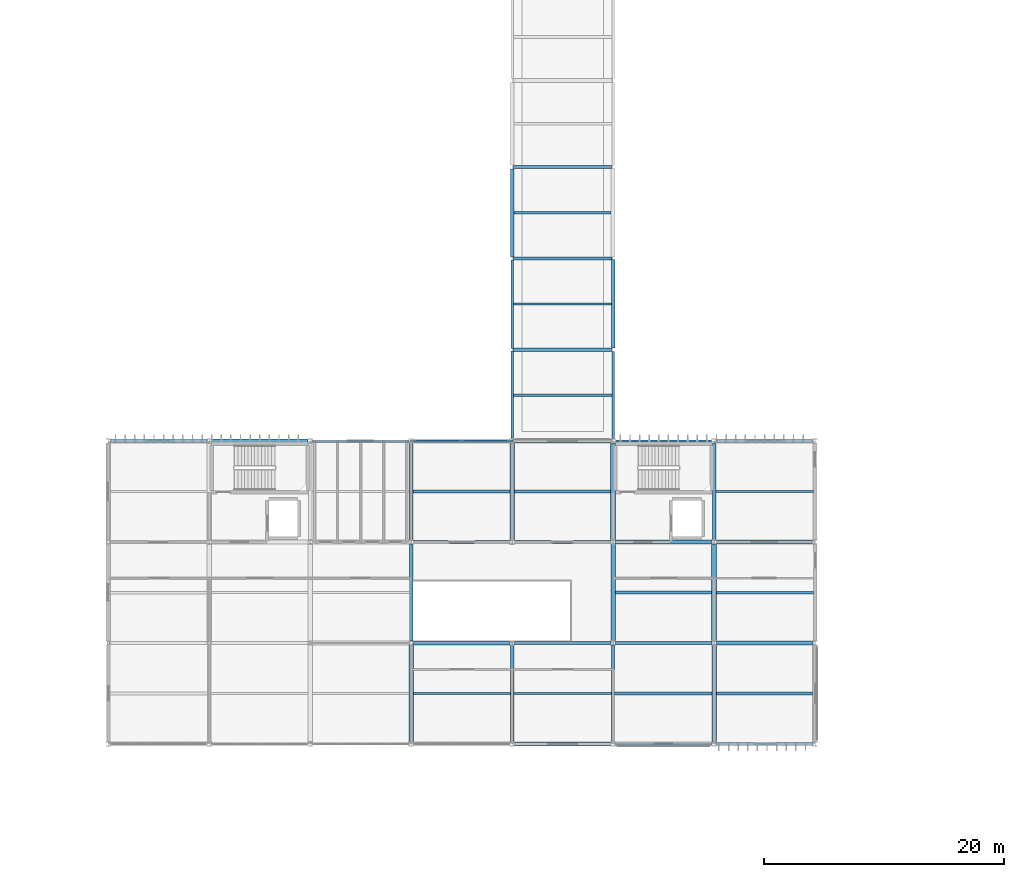
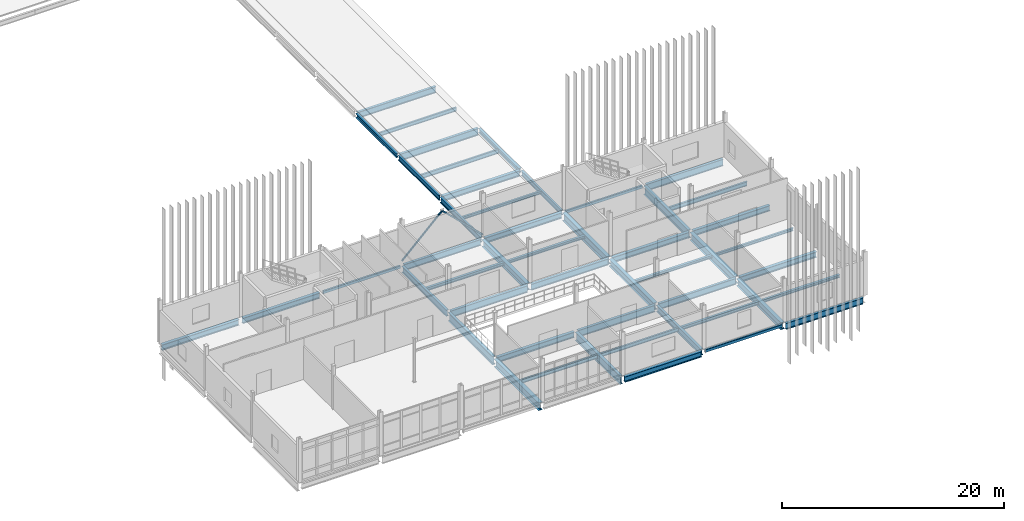
# One storey, part 20 of 72: 49 beams, 2 members.
"""IFC4 building model written with IfcOpenShell, lengths in metres."""

from ifc_helpers import new_model, si_unit, direction, frame, origin, origin_2d, place, context, subcontext, project, spatial, hollow_rectangle, i_section, extrude, material, material_profile, profile_set, type_object, element, save


model = new_model("IFC4")

# Units and contexts
model_context = context("Model", 3, precision=1e-05, world=origin(), true_north=direction((0.0, 1.0)))
body_context = subcontext(model_context, "Body", "Model", "MODEL_VIEW")
ifc_project = project(units=[si_unit("LENGTHUNIT", "METRE"), si_unit("AREAUNIT", "SQUARE_METRE"), si_unit("VOLUMEUNIT", "CUBIC_METRE"), si_unit("PLANEANGLEUNIT", "RADIAN"), si_unit("MASSUNIT", "GRAM", prefix="KILO")], contexts=[model_context])

# Site, building, storey
site_placement = place(None, origin())
site = spatial("IfcSite", under=ifc_project, at=site_placement, CompositionType="ELEMENT")
building_placement = place(site_placement, origin())
building = spatial("IfcBuilding", under=site, at=building_placement, Name="Calvrana Isthmian Art Gallery", CompositionType="ELEMENT")
storey_placement = place(building_placement, frame((0.0, 0.0, 15.0)))
storey = spatial("IfcBuildingStorey", under=building, at=storey_placement, Name="L03", CompositionType="ELEMENT", Elevation=15.0)

# Beams
ifc_material_1 = material(Name="Steel ASTM A992 Gr 50", Category="steel")
ifc_material_profile_1 = material_profile(ifc_material_1, i_section(OverallWidth=0.279052734375, OverallDepth=0.4619140625, WebThickness=0.0107421875, FlangeThickness=0.017333984375, FilletRadius=0.02001953125, at=origin_2d()), Name="W18X76")
ifc_profile_set_1 = profile_set([ifc_material_profile_1], Name="Steel ASTM A992 Gr 50")
beam_type_1 = type_object("IfcBeamType", Name="BM-G-W18X76", PredefinedType="BEAM", material=ifc_profile_set_1)
beam_1_placement = place(storey_placement, frame((55.199951171875, 62.126953125, -0.47607421875), z_axis=(0.0, 1.0, 0.0), x_axis=(-1.0, 0.0, 0.0)))
element("IfcBeam", 1, at=beam_1_placement, inside=storey, type_object=beam_type_1, Name="Girder Y L03 08/I-J", PredefinedType="BEAM", context=body_context, shape_type="SweptSolid", body=[
    extrude(i_section(OverallWidth=0.279052734375, OverallDepth=0.4619140625, WebThickness=0.0107421875, FlangeThickness=0.017333984375, FilletRadius=0.02001953125, at=origin_2d()), origin(), (0.0, 0.0, 1.0), 7.320556640625),
])
beam_2_placement = place(storey_placement, frame((63.60009765625, 54.552490234375, -0.47607421875), z_axis=(0.0, 1.0, 0.0), x_axis=(-1.0, 0.0, 0.0)))
element("IfcBeam", 2, at=beam_2_placement, inside=storey, type_object=beam_type_1, Name="Girder Y L03 09/H-I", PredefinedType="BEAM", context=body_context, shape_type="SweptSolid", body=[
    extrude(i_section(OverallWidth=0.279052734375, OverallDepth=0.4619140625, WebThickness=0.0107421875, FlangeThickness=0.017333984375, FilletRadius=0.02001953125, at=origin_2d()), origin(), (0.0, 0.0, 1.0), 7.345947265625),
])
ifc_material_profile_2 = material_profile(ifc_material_1, i_section(OverallWidth=0.208984375, OverallDepth=0.532958984375, WebThickness=0.01025390625, FlangeThickness=0.015625, FilletRadius=0.02099609375, at=origin_2d()), Name="W21X62")
ifc_profile_set_2 = profile_set([ifc_material_profile_2], Name="Steel ASTM A992 Gr 50")
beam_type_2 = type_object("IfcBeamType", Name="BM-G-W21X62", PredefinedType="BEAM", material=ifc_profile_set_2)
beam_3_placement = place(storey_placement, frame((55.199951171875, 54.501708984375, -0.511474609375), z_axis=(0.0, 1.0, 0.0), x_axis=(-1.0, 0.0, 0.0)))
element("IfcBeam", 3, at=beam_3_placement, inside=storey, type_object=beam_type_2, Name="Girder Y L03 08/H-I", PredefinedType="BEAM", context=body_context, shape_type="SweptSolid", body=[
    extrude(i_section(OverallWidth=0.208984375, OverallDepth=0.532958984375, WebThickness=0.01025390625, FlangeThickness=0.015625, FilletRadius=0.02099609375, at=origin_2d()), origin(), (0.0, 0.0, 1.0), 7.371337890625),
])
beam_4_placement = place(storey_placement, frame((63.60009765625, 46.988037109375, -0.511474609375), z_axis=(0.0, 1.0, 0.0), x_axis=(-1.0, 0.0, 0.0)))
element("IfcBeam", 4, at=beam_4_placement, inside=storey, type_object=beam_type_2, Name="Girder Y L03 09/G-H", PredefinedType="BEAM", context=body_context, shape_type="SweptSolid", body=[
    extrude(i_section(OverallWidth=0.208984375, OverallDepth=0.532958984375, WebThickness=0.01025390625, FlangeThickness=0.015625, FilletRadius=0.02099609375, at=origin_2d()), origin(), (0.0, 0.0, 1.0), 7.259521484375),
])
ifc_material_profile_3 = material_profile(ifc_material_1, i_section(OverallWidth=0.324951171875, OverallDepth=0.612060546875, WebThickness=0.0126953125, FlangeThickness=0.01904296875, FilletRadius=0.02197265625, at=origin_2d()), Name="W24X104")
ifc_profile_set_3 = profile_set([ifc_material_profile_3], Name="Steel ASTM A992 Gr 50")
beam_type_3 = type_object("IfcBeamType", Name="BM-G-W24X104", PredefinedType="BEAM", material=ifc_profile_set_3)
beam_5_placement = place(storey_placement, frame((55.3994140625, 21.60009765625, -0.551025390625), z_axis=(1.0, 0.0, 0.0), x_axis=(0.0, 1.0, 0.0)))
element("IfcBeam", 5, at=beam_5_placement, inside=storey, type_object=beam_type_3, Name="Girder X L03 08-09/D", PredefinedType="BEAM", context=body_context, shape_type="SweptSolid", body=[
    extrude(i_section(OverallWidth=0.324951171875, OverallDepth=0.612060546875, WebThickness=0.0126953125, FlangeThickness=0.01904296875, FilletRadius=0.02197265625, at=origin_2d()), origin(), (0.0, 0.0, 1.0), 8.002685546875),
])
beam_6_placement = place(storey_placement, frame((46.985595703125, 30.0, -0.551025390625), z_axis=(1.0, 0.0, 0.0), x_axis=(0.0, 1.0, 0.0)))
element("IfcBeam", 6, at=beam_6_placement, inside=storey, type_object=beam_type_3, Name="Girder X L03 07-08/E", PredefinedType="BEAM", context=body_context, shape_type="SweptSolid", body=[
    extrude(i_section(OverallWidth=0.324951171875, OverallDepth=0.612060546875, WebThickness=0.0126953125, FlangeThickness=0.01904296875, FilletRadius=0.02197265625, at=origin_2d()), origin(), (0.0, 0.0, 1.0), 8.030517578125),
])
beam_7_placement = place(storey_placement, frame((72.1865234375, 38.39990234375, -0.551025390625), z_axis=(1.0, 0.0, 0.0), x_axis=(0.0, 1.0, 0.0)))
element("IfcBeam", 7, at=beam_7_placement, inside=storey, type_object=beam_type_3, Name="Girder X L03 10-11/F", PredefinedType="BEAM", context=body_context, shape_type="SweptSolid", body=[
    extrude(i_section(OverallWidth=0.324951171875, OverallDepth=0.612060546875, WebThickness=0.0126953125, FlangeThickness=0.01904296875, FilletRadius=0.02197265625, at=origin_2d()), origin(), (0.0, 0.0, 1.0), 8.02685546875),
])
beam_8_placement = place(storey_placement, frame((30.197021484375, 46.800048828125, -0.551025390625), z_axis=(1.0, 0.0, 0.0), x_axis=(0.0, 1.0, 0.0)))
element("IfcBeam", 8, at=beam_8_placement, inside=storey, type_object=beam_type_3, Name="Girder X L03 05-06/G", PredefinedType="BEAM", context=body_context, shape_type="SweptSolid", body=[
    extrude(i_section(OverallWidth=0.324951171875, OverallDepth=0.612060546875, WebThickness=0.0126953125, FlangeThickness=0.01904296875, FilletRadius=0.02197265625, at=origin_2d()), origin(), (0.0, 0.0, 1.0), 8.016357421875),
])
beam_9_placement = place(storey_placement, frame((55.301513671875, 54.39990234375, -0.551025390625), z_axis=(1.0, 0.0, 0.0), x_axis=(0.0, 1.0, 0.0)))
element("IfcBeam", 9, at=beam_9_placement, inside=storey, type_object=beam_type_3, Name="Girder X L03 08-09/H", PredefinedType="BEAM", context=body_context, shape_type="SweptSolid", body=[
    extrude(i_section(OverallWidth=0.324951171875, OverallDepth=0.612060546875, WebThickness=0.0126953125, FlangeThickness=0.01904296875, FilletRadius=0.02197265625, at=origin_2d()), origin(), (0.0, 0.0, 1.0), 8.14599609375),
])
ifc_material_profile_4 = material_profile(ifc_material_1, i_section(OverallWidth=0.327880859375, OverallDepth=0.6220703125, WebThickness=0.015380859375, FlangeThickness=0.0244140625, FilletRadius=0.02197265625, at=origin_2d()), Name="W24X131")
ifc_profile_set_4 = profile_set([ifc_material_profile_4], Name="Steel ASTM A992 Gr 50")
beam_type_4 = type_object("IfcBeamType", Name="BM-G-W24X131", PredefinedType="BEAM", material=ifc_profile_set_4)
beam_10_placement = place(storey_placement, frame((72.1865234375, 30.0, -0.555908203125), z_axis=(1.0, 0.0, 0.0), x_axis=(0.0, 1.0, 0.0)))
element("IfcBeam", 10, at=beam_10_placement, inside=storey, type_object=beam_type_4, Name="Girder X L03 10-11/E", PredefinedType="BEAM", context=body_context, shape_type="SweptSolid", body=[
    extrude(i_section(OverallWidth=0.327880859375, OverallDepth=0.6220703125, WebThickness=0.015380859375, FlangeThickness=0.0244140625, FilletRadius=0.02197265625, at=origin_2d()), origin(), (0.0, 0.0, 1.0), 8.028076171875),
])
beam_11_placement = place(storey_placement, frame((63.783935546875, 38.39990234375, -0.555908203125), z_axis=(1.0, 0.0, 0.0), x_axis=(0.0, 1.0, 0.0)))
element("IfcBeam", 11, at=beam_11_placement, inside=storey, type_object=beam_type_4, Name="Girder X L03 09-10/F", PredefinedType="BEAM", context=body_context, shape_type="SweptSolid", body=[
    extrude(i_section(OverallWidth=0.327880859375, OverallDepth=0.6220703125, WebThickness=0.015380859375, FlangeThickness=0.0244140625, FilletRadius=0.02197265625, at=origin_2d()), origin(), (0.0, 0.0, 1.0), 8.029541015625),
])
beam_12_placement = place(storey_placement, frame((21.798095703125, 46.800048828125, -0.555908203125), z_axis=(1.0, 0.0, 0.0), x_axis=(0.0, 1.0, 0.0)))
element("IfcBeam", 12, at=beam_12_placement, inside=storey, type_object=beam_type_4, Name="Girder X L03 04-05/G", PredefinedType="BEAM", context=body_context, shape_type="SweptSolid", body=[
    extrude(i_section(OverallWidth=0.327880859375, OverallDepth=0.6220703125, WebThickness=0.015380859375, FlangeThickness=0.0244140625, FilletRadius=0.02197265625, at=origin_2d()), origin(), (0.0, 0.0, 1.0), 8.0048828125),
])
beam_13_placement = place(storey_placement, frame((55.39794921875, 46.800048828125, -0.555908203125), z_axis=(1.0, 0.0, 0.0), x_axis=(0.0, 1.0, 0.0)))
element("IfcBeam", 13, at=beam_13_placement, inside=storey, type_object=beam_type_4, Name="Girder X L03 08-09/G", PredefinedType="BEAM", context=body_context, shape_type="SweptSolid", body=[
    extrude(i_section(OverallWidth=0.327880859375, OverallDepth=0.6220703125, WebThickness=0.015380859375, FlangeThickness=0.0244140625, FilletRadius=0.02197265625, at=origin_2d()), origin(), (0.0, 0.0, 1.0), 8.005126953125),
])
ifc_material_profile_5 = material_profile(ifc_material_1, i_section(OverallWidth=0.22802734375, OverallDepth=0.60693359375, WebThickness=0.01123046875, FlangeThickness=0.017333984375, FilletRadius=0.02197265625, at=origin_2d()), Name="W24X76")
ifc_profile_set_5 = profile_set([ifc_material_profile_5], Name="Steel ASTM A992 Gr 50")
beam_type_5 = type_object("IfcBeamType", Name="BM-G-W24X76", PredefinedType="BEAM", material=ifc_profile_set_5)
beam_14_placement = place(storey_placement, frame((55.199951171875, 46.990478515625, -0.548583984375), z_axis=(0.0, 1.0, 0.0), x_axis=(-1.0, 0.0, 0.0)))
element("IfcBeam", 14, at=beam_14_placement, inside=storey, type_object=beam_type_5, Name="Girder Y L03 08/G-H", PredefinedType="BEAM", context=body_context, shape_type="SweptSolid", body=[
    extrude(i_section(OverallWidth=0.22802734375, OverallDepth=0.60693359375, WebThickness=0.01123046875, FlangeThickness=0.017333984375, FilletRadius=0.02197265625, at=origin_2d()), origin(), (0.0, 0.0, 1.0), 7.307861328125),
])
ifc_material_profile_6 = material_profile(ifc_material_1, i_section(OverallWidth=0.257080078125, OverallDepth=0.693115234375, WebThickness=0.014404296875, FlangeThickness=0.023681640625, FilletRadius=0.02392578125, at=origin_2d()), Name="W27X114")
ifc_profile_set_6 = profile_set([ifc_material_profile_6], Name="Steel ASTM A992 Gr 50")
beam_type_6 = type_object("IfcBeamType", Name="BM-G-W27X114", PredefinedType="BEAM", material=ifc_profile_set_6)
beam_15_placement = place(storey_placement, frame((72.197021484375, 21.60009765625, -0.591552734375), z_axis=(1.0, 0.0, 0.0), x_axis=(0.0, 1.0, 0.0)))
element("IfcBeam", 15, at=beam_15_placement, inside=storey, type_object=beam_type_6, Name="Girder X L03 10-11/D", PredefinedType="BEAM", context=body_context, shape_type="SweptSolid", body=[
    extrude(i_section(OverallWidth=0.257080078125, OverallDepth=0.693115234375, WebThickness=0.014404296875, FlangeThickness=0.023681640625, FilletRadius=0.02392578125, at=origin_2d()), origin(), (0.0, 0.0, 1.0), 8.016357421875),
])
beam_16_placement = place(storey_placement, frame((63.78662109375, 30.0, -0.591552734375), z_axis=(1.0, 0.0, 0.0), x_axis=(0.0, 1.0, 0.0)))
element("IfcBeam", 16, at=beam_16_placement, inside=storey, type_object=beam_type_6, Name="Girder X L03 09-10/E", PredefinedType="BEAM", context=body_context, shape_type="SweptSolid", body=[
    extrude(i_section(OverallWidth=0.257080078125, OverallDepth=0.693115234375, WebThickness=0.014404296875, FlangeThickness=0.023681640625, FilletRadius=0.02392578125, at=origin_2d()), origin(), (0.0, 0.0, 1.0), 8.02685546875),
])
beam_17_placement = place(storey_placement, frame((55.385498046875, 38.39990234375, -0.591552734375), z_axis=(1.0, 0.0, 0.0), x_axis=(0.0, 1.0, 0.0)))
element("IfcBeam", 17, at=beam_17_placement, inside=storey, type_object=beam_type_6, Name="Girder X L03 08-09/F", PredefinedType="BEAM", context=body_context, shape_type="SweptSolid", body=[
    extrude(i_section(OverallWidth=0.257080078125, OverallDepth=0.693115234375, WebThickness=0.014404296875, FlangeThickness=0.023681640625, FilletRadius=0.02392578125, at=origin_2d()), origin(), (0.0, 0.0, 1.0), 8.030517578125),
])
beam_18_placement = place(storey_placement, frame((46.99951171875, 46.800048828125, -0.591552734375), z_axis=(1.0, 0.0, 0.0), x_axis=(0.0, 1.0, 0.0)))
element("IfcBeam", 18, at=beam_18_placement, inside=storey, type_object=beam_type_6, Name="Girder X L03 07-08/G", PredefinedType="BEAM", context=body_context, shape_type="SweptSolid", body=[
    extrude(i_section(OverallWidth=0.257080078125, OverallDepth=0.693115234375, WebThickness=0.014404296875, FlangeThickness=0.023681640625, FilletRadius=0.02392578125, at=origin_2d()), origin(), (0.0, 0.0, 1.0), 8.00244140625),
])
beam_19_placement = place(storey_placement, frame((55.301513671875, 69.60009765625, -0.591552734375), z_axis=(1.0, 0.0, 0.0), x_axis=(0.0, 1.0, 0.0)))
element("IfcBeam", 19, at=beam_19_placement, inside=storey, type_object=beam_type_6, Name="Girder X L03 08-09/J", PredefinedType="BEAM", context=body_context, shape_type="SweptSolid", body=[
    extrude(i_section(OverallWidth=0.257080078125, OverallDepth=0.693115234375, WebThickness=0.014404296875, FlangeThickness=0.023681640625, FilletRadius=0.02392578125, at=origin_2d()), origin(), (0.0, 0.0, 1.0), 8.17138671875),
])
for number, where, z_axis, x_axis, name in (
    (20, (46.800048828125, 38.583984375, -0.591552734375), (0.0, 1.0, 0.0), (-1.0, 0.0, 0.0), "Girder Y L03 07/F-G"),
    (21, (63.60009765625, 21.79052734375, -0.591552734375), (0.0, 1.0, 0.0), (-1.0, 0.0, 0.0), "Girder Y L03 09/D-E"),
):
    element("IfcBeam", number, at=place(storey_placement, frame(where, z_axis=z_axis, x_axis=x_axis)), inside=storey, type_object=beam_type_6, Name=name, PredefinedType="BEAM", context=body_context, shape_type="SweptSolid", body=[
        extrude(i_section(OverallWidth=0.257080078125, OverallDepth=0.693115234375, WebThickness=0.014404296875, FlangeThickness=0.023681640625, FilletRadius=0.02392578125, at=origin_2d()), origin(), (0.0, 0.0, 1.0), 8.02294921875),
    ])
ifc_material_profile_7 = material_profile(ifc_material_1, i_section(OverallWidth=0.26708984375, OverallDepth=0.761962890625, WebThickness=0.014404296875, FlangeThickness=0.021484375, FilletRadius=0.02490234375, at=origin_2d()), Name="W30X116")
ifc_profile_set_7 = profile_set([ifc_material_profile_7], Name="Steel ASTM A992 Gr 50")
beam_type_7 = type_object("IfcBeamType", Name="BM-G-W30X116", PredefinedType="BEAM", material=ifc_profile_set_7)
beam_20_placement = place(storey_placement, frame((55.384033203125, 30.0, -0.6259765625), z_axis=(1.0, 0.0, 0.0), x_axis=(0.0, 1.0, 0.0)))
element("IfcBeam", 22, at=beam_20_placement, inside=storey, type_object=beam_type_7, Name="Girder X L03 08-09/E", PredefinedType="BEAM", context=body_context, shape_type="SweptSolid", body=[
    extrude(i_section(OverallWidth=0.26708984375, OverallDepth=0.761962890625, WebThickness=0.014404296875, FlangeThickness=0.021484375, FilletRadius=0.02490234375, at=origin_2d()), origin(), (0.0, 0.0, 1.0), 8.029541015625),
])
beam_21_placement = place(storey_placement, frame((46.986572265625, 38.39990234375, -0.6259765625), z_axis=(1.0, 0.0, 0.0), x_axis=(0.0, 1.0, 0.0)))
element("IfcBeam", 23, at=beam_21_placement, inside=storey, type_object=beam_type_7, Name="Girder X L03 07-08/F", PredefinedType="BEAM", context=body_context, shape_type="SweptSolid", body=[
    extrude(i_section(OverallWidth=0.26708984375, OverallDepth=0.761962890625, WebThickness=0.014404296875, FlangeThickness=0.021484375, FilletRadius=0.02490234375, at=origin_2d()), origin(), (0.0, 0.0, 1.0), 8.02783203125),
])
beam_22_placement = place(storey_placement, frame((72.1865234375, 46.800048828125, -0.6259765625), z_axis=(1.0, 0.0, 0.0), x_axis=(0.0, 1.0, 0.0)))
element("IfcBeam", 24, at=beam_22_placement, inside=storey, type_object=beam_type_7, Name="Girder X L03 10-11/G", PredefinedType="BEAM", context=body_context, shape_type="SweptSolid", body=[
    extrude(i_section(OverallWidth=0.26708984375, OverallDepth=0.761962890625, WebThickness=0.014404296875, FlangeThickness=0.021484375, FilletRadius=0.02490234375, at=origin_2d()), origin(), (0.0, 0.0, 1.0), 8.013916015625),
])
beam_23_placement = place(storey_placement, frame((55.326904296875, 62.0, -0.6259765625), z_axis=(1.0, 0.0, 0.0), x_axis=(0.0, 1.0, 0.0)))
element("IfcBeam", 25, at=beam_23_placement, inside=storey, type_object=beam_type_7, Name="Girder X L03 08-09/I", PredefinedType="BEAM", context=body_context, shape_type="SweptSolid", body=[
    extrude(i_section(OverallWidth=0.26708984375, OverallDepth=0.761962890625, WebThickness=0.014404296875, FlangeThickness=0.021484375, FilletRadius=0.02490234375, at=origin_2d()), origin(), (0.0, 0.0, 1.0), 8.17138671875),
])
ifc_material_profile_8 = material_profile(ifc_material_1, i_section(OverallWidth=0.381103515625, OverallDepth=0.77197265625, WebThickness=0.0166015625, FlangeThickness=0.027099609375, FilletRadius=0.02490234375, at=origin_2d()), Name="W30X173")
ifc_profile_set_8 = profile_set([ifc_material_profile_8], Name="Steel ASTM A992 Gr 50")
beam_type_8 = type_object("IfcBeamType", Name="BM-G-W30X173", PredefinedType="BEAM", material=ifc_profile_set_8)
beam_24_placement = place(storey_placement, frame((55.199951171875, 38.58154296875, -0.631103515625), z_axis=(0.0, 1.0, 0.0), x_axis=(-1.0, 0.0, 0.0)))
element("IfcBeam", 26, at=beam_24_placement, inside=storey, type_object=beam_type_8, Name="Girder Y L03 08/F-G", PredefinedType="BEAM", context=body_context, shape_type="SweptSolid", body=[
    extrude(i_section(OverallWidth=0.381103515625, OverallDepth=0.77197265625, WebThickness=0.0166015625, FlangeThickness=0.027099609375, FilletRadius=0.02490234375, at=origin_2d()), origin(), (0.0, 0.0, 1.0), 8.028076171875),
])
beam_25_placement = place(storey_placement, frame((63.60009765625, 30.1865234375, -0.631103515625), z_axis=(0.0, 1.0, 0.0), x_axis=(-1.0, 0.0, 0.0)))
element("IfcBeam", 27, at=beam_25_placement, inside=storey, type_object=beam_type_8, Name="Girder Y L03 09/E-F", PredefinedType="BEAM", context=body_context, shape_type="SweptSolid", body=[
    extrude(i_section(OverallWidth=0.381103515625, OverallDepth=0.77197265625, WebThickness=0.0166015625, FlangeThickness=0.027099609375, FilletRadius=0.02490234375, at=origin_2d()), origin(), (0.0, 0.0, 1.0), 8.035400390625),
])
beam_26_placement = place(storey_placement, frame((72.0, 21.7880859375, -0.631103515625), z_axis=(0.0, 1.0, 0.0), x_axis=(-1.0, 0.0, 0.0)))
element("IfcBeam", 28, at=beam_26_placement, inside=storey, type_object=beam_type_8, Name="Girder Y L03 10/D-E", PredefinedType="BEAM", context=body_context, shape_type="SweptSolid", body=[
    extrude(i_section(OverallWidth=0.381103515625, OverallDepth=0.77197265625, WebThickness=0.0166015625, FlangeThickness=0.027099609375, FilletRadius=0.02490234375, at=origin_2d()), origin(), (0.0, 0.0, 1.0), 8.02783203125),
])
ifc_material_profile_9 = material_profile(ifc_material_1, i_section(OverallWidth=0.40087890625, OverallDepth=0.85595703125, WebThickness=0.018310546875, FlangeThickness=0.029296875, FilletRadius=0.02587890625, at=origin_2d()), Name="W33X201")
ifc_profile_set_9 = profile_set([ifc_material_profile_9], Name="Steel ASTM A992 Gr 50")
beam_type_9 = type_object("IfcBeamType", Name="BM-G-W33X201", PredefinedType="BEAM", material=ifc_profile_set_9)
beam_27_placement = place(storey_placement, frame((46.800048828125, 21.78662109375, -0.673095703125), z_axis=(0.0, 1.0, 0.0), x_axis=(-1.0, 0.0, 0.0)))
element("IfcBeam", 29, at=beam_27_placement, inside=storey, type_object=beam_type_9, Name="Girder Y L03 07/D-E", PredefinedType="BEAM", context=body_context, shape_type="SweptSolid", body=[
    extrude(i_section(OverallWidth=0.40087890625, OverallDepth=0.85595703125, WebThickness=0.018310546875, FlangeThickness=0.029296875, FilletRadius=0.02587890625, at=origin_2d()), origin(), (0.0, 0.0, 1.0), 8.031982421875),
])
beam_28_placement = place(storey_placement, frame((63.60009765625, 38.577880859375, -0.673095703125), z_axis=(0.0, 1.0, 0.0), x_axis=(-1.0, 0.0, 0.0)))
element("IfcBeam", 30, at=beam_28_placement, inside=storey, type_object=beam_type_9, Name="Girder Y L03 09/F-G", PredefinedType="BEAM", context=body_context, shape_type="SweptSolid", body=[
    extrude(i_section(OverallWidth=0.40087890625, OverallDepth=0.85595703125, WebThickness=0.018310546875, FlangeThickness=0.029296875, FilletRadius=0.02587890625, at=origin_2d()), origin(), (0.0, 0.0, 1.0), 8.0341796875),
])
beam_29_placement = place(storey_placement, frame((72.0, 30.18408203125, -0.673095703125), z_axis=(0.0, 1.0, 0.0), x_axis=(-1.0, 0.0, 0.0)))
element("IfcBeam", 31, at=beam_29_placement, inside=storey, type_object=beam_type_9, Name="Girder Y L03 10/E-F", PredefinedType="BEAM", context=body_context, shape_type="SweptSolid", body=[
    extrude(i_section(OverallWidth=0.40087890625, OverallDepth=0.85595703125, WebThickness=0.018310546875, FlangeThickness=0.029296875, FilletRadius=0.02587890625, at=origin_2d()), origin(), (0.0, 0.0, 1.0), 8.029296875),
])
ifc_material_profile_10 = material_profile(ifc_material_1, i_section(OverallWidth=0.306884765625, OverallDepth=0.927001953125, WebThickness=0.019287109375, FlangeThickness=0.031982421875, FilletRadius=0.028076171875, at=origin_2d()), Name="W36X194")
ifc_profile_set_10 = profile_set([ifc_material_profile_10], Name="Steel ASTM A992 Gr 50")
beam_type_10 = type_object("IfcBeamType", Name="BM-G-W36X194", PredefinedType="BEAM", material=ifc_profile_set_10)
beam_30_placement = place(storey_placement, frame((46.800048828125, 30.181396484375, -0.70849609375), z_axis=(0.0, 1.0, 0.0), x_axis=(-1.0, 0.0, 0.0)))
element("IfcBeam", 32, at=beam_30_placement, inside=storey, type_object=beam_type_10, Name="Girder Y L03 07/E-F", PredefinedType="BEAM", context=body_context, shape_type="SweptSolid", body=[
    extrude(i_section(OverallWidth=0.306884765625, OverallDepth=0.927001953125, WebThickness=0.019287109375, FlangeThickness=0.031982421875, FilletRadius=0.028076171875, at=origin_2d()), origin(), (0.0, 0.0, 1.0), 8.03466796875),
])
beam_31_placement = place(storey_placement, frame((55.199951171875, 21.79296875, -0.70849609375), z_axis=(0.0, 1.0, 0.0), x_axis=(-1.0, 0.0, 0.0)))
element("IfcBeam", 33, at=beam_31_placement, inside=storey, type_object=beam_type_10, Name="Girder Y L03 08/D-E", PredefinedType="BEAM", context=body_context, shape_type="SweptSolid", body=[
    extrude(i_section(OverallWidth=0.306884765625, OverallDepth=0.927001953125, WebThickness=0.019287109375, FlangeThickness=0.031982421875, FilletRadius=0.028076171875, at=origin_2d()), origin(), (0.0, 0.0, 1.0), 8.029052734375),
])
beam_32_placement = place(storey_placement, frame((72.0, 38.58642578125, -0.70849609375), z_axis=(0.0, 1.0, 0.0), x_axis=(-1.0, 0.0, 0.0)))
element("IfcBeam", 34, at=beam_32_placement, inside=storey, type_object=beam_type_10, Name="Girder Y L03 10/F-G", PredefinedType="BEAM", context=body_context, shape_type="SweptSolid", body=[
    extrude(i_section(OverallWidth=0.306884765625, OverallDepth=0.927001953125, WebThickness=0.019287109375, FlangeThickness=0.031982421875, FilletRadius=0.028076171875, at=origin_2d()), origin(), (0.0, 0.0, 1.0), 8.027099609375),
])
ifc_material_profile_11 = material_profile(ifc_material_1, i_section(OverallWidth=0.202880859375, OverallDepth=0.302001953125, WebThickness=0.007568359375, FlangeThickness=0.01318359375, FilletRadius=0.01611328125, at=origin_2d()), Name="W12X40")
ifc_profile_set_11 = profile_set([ifc_material_profile_11], Name="Steel ASTM A992 Gr 50")
beam_type_11 = type_object("IfcBeamType", Name="BM-J-W12X40", PredefinedType="JOIST", material=ifc_profile_set_11)
beam_33_placement = place(storey_placement, frame((55.31396484375, 50.60009765625, -0.39599609375), z_axis=(1.0, 0.0, 0.0), x_axis=(0.0, 1.0, 0.0)))
element("IfcBeam", 35, at=beam_33_placement, inside=storey, type_object=beam_type_11, Name="Composite joist L03 bay 07-06", PredefinedType="JOIST", context=body_context, shape_type="SweptSolid", body=[
    extrude(i_section(OverallWidth=0.202880859375, OverallDepth=0.302001953125, WebThickness=0.007568359375, FlangeThickness=0.01318359375, FilletRadius=0.01611328125, at=origin_2d()), origin(), (0.0, 0.0, 1.0), 8.181640625),
])
beam_34_placement = place(storey_placement, frame((72.200439453125, 34.199951171875, -0.39599609375), z_axis=(1.0, 0.0, 0.0), x_axis=(0.0, 1.0, 0.0)))
element("IfcBeam", 36, at=beam_34_placement, inside=storey, type_object=beam_type_11, Name="Composite joist L03 bay 09-04", PredefinedType="JOIST", context=body_context, shape_type="SweptSolid", body=[
    extrude(i_section(OverallWidth=0.202880859375, OverallDepth=0.302001953125, WebThickness=0.007568359375, FlangeThickness=0.01318359375, FilletRadius=0.01611328125, at=origin_2d()), origin(), (0.0, 0.0, 1.0), 8.046142578125),
])
ifc_material_profile_12 = material_profile(ifc_material_1, i_section(OverallWidth=0.25390625, OverallDepth=0.306884765625, WebThickness=0.0087890625, FlangeThickness=0.0146484375, FilletRadius=0.01611328125, at=origin_2d()), Name="W12X53")
ifc_profile_set_12 = profile_set([ifc_material_profile_12], Name="Steel ASTM A992 Gr 50")
beam_type_12 = type_object("IfcBeamType", Name="BM-J-W12X53", PredefinedType="JOIST", material=ifc_profile_set_12)
for number, where, z_axis, x_axis, name in (
    (37, (55.390380859375, 42.60009765625, -0.3984375), (1.0, 0.0, 0.0), (0.0, 1.0, 0.0), "Composite joist L03 bay 07-05"),
    (38, (63.79052734375, 34.199951171875, -0.3984375), (1.0, 0.0, 0.0), (0.0, 1.0, 0.0), "Composite joist L03 bay 08-04"),
    (39, (72.1904296875, 25.800048828125, -0.3984375), (1.0, 0.0, 0.0), (0.0, 1.0, 0.0), "Composite joist L03 bay 09-03"),
):
    element("IfcBeam", number, at=place(storey_placement, frame(where, z_axis=z_axis, x_axis=x_axis)), inside=storey, type_object=beam_type_12, Name=name, PredefinedType="JOIST", context=body_context, shape_type="SweptSolid", body=[
        extrude(i_section(OverallWidth=0.25390625, OverallDepth=0.306884765625, WebThickness=0.0087890625, FlangeThickness=0.0146484375, FilletRadius=0.01611328125, at=origin_2d()), origin(), (0.0, 0.0, 1.0), 8.009033203125),
    ])
ifc_material_profile_13 = material_profile(ifc_material_1, i_section(OverallWidth=0.25390625, OverallDepth=0.35302734375, WebThickness=0.009521484375, FlangeThickness=0.016357421875, FilletRadius=0.01806640625, at=origin_2d()), Name="W14X61")
ifc_profile_set_13 = profile_set([ifc_material_profile_13], Name="Steel ASTM A992 Gr 50")
beam_type_13 = type_object("IfcBeamType", Name="BM-J-W14X61", PredefinedType="JOIST", material=ifc_profile_set_13)
for number, where, z_axis, x_axis, name in (
    (40, (46.928466796875, 42.60009765625, -0.42138671875), (1.0, 0.0, 0.0), (0.0, 1.0, 0.0), "Composite joist L03 bay 06-05"),
    (41, (63.728515625, 25.800048828125, -0.42138671875), (1.0, 0.0, 0.0), (0.0, 1.0, 0.0), "Composite joist L03 bay 08-03"),
):
    element("IfcBeam", number, at=place(storey_placement, frame(where, z_axis=z_axis, x_axis=x_axis)), inside=storey, type_object=beam_type_13, Name=name, PredefinedType="JOIST", context=body_context, shape_type="SweptSolid", body=[
        extrude(i_section(OverallWidth=0.25390625, OverallDepth=0.35302734375, WebThickness=0.009521484375, FlangeThickness=0.016357421875, FilletRadius=0.01806640625, at=origin_2d()), origin(), (0.0, 0.0, 1.0), 8.0810546875),
    ])
ifc_material_profile_14 = material_profile(ifc_material_1, i_section(OverallWidth=0.177978515625, OverallDepth=0.404052734375, WebThickness=0.007568359375, FlangeThickness=0.010986328125, FilletRadius=0.01806640625, at=origin_2d()), Name="W16X36")
ifc_profile_set_14 = profile_set([ifc_material_profile_14], Name="Steel ASTM A992 Gr 50")
beam_type_14 = type_object("IfcBeamType", Name="BM-J-W16X36", PredefinedType="JOIST", material=ifc_profile_set_14)
beam_35_placement = place(storey_placement, frame((55.353515625, 25.800048828125, -0.447021484375), z_axis=(1.0, 0.0, 0.0), x_axis=(0.0, 1.0, 0.0)))
element("IfcBeam", 42, at=beam_35_placement, inside=storey, type_object=beam_type_14, Name="Composite joist L03 bay 07-03", PredefinedType="JOIST", context=body_context, shape_type="SweptSolid", body=[
    extrude(i_section(OverallWidth=0.177978515625, OverallDepth=0.404052734375, WebThickness=0.007568359375, FlangeThickness=0.010986328125, FilletRadius=0.01806640625, at=origin_2d()), origin(), (0.0, 0.0, 1.0), 8.117919921875),
])
ifc_material_profile_15 = material_profile(ifc_material_1, i_section(OverallWidth=0.179931640625, OverallDepth=0.4140625, WebThickness=0.009765625, FlangeThickness=0.01611328125, FilletRadius=0.01806640625, at=origin_2d()), Name="W16X50")
ifc_profile_set_15 = profile_set([ifc_material_profile_15], Name="Steel ASTM A992 Gr 50")
beam_type_15 = type_object("IfcBeamType", Name="BM-J-W16X50", PredefinedType="JOIST", material=ifc_profile_set_15)
beam_36_placement = place(storey_placement, frame((47.00048828125, 25.800048828125, -0.451904296875), z_axis=(1.0, 0.0, 0.0), x_axis=(0.0, 1.0, 0.0)))
element("IfcBeam", 43, at=beam_36_placement, inside=storey, type_object=beam_type_15, Name="Composite joist L03 bay 06-03", PredefinedType="JOIST", context=body_context, shape_type="SweptSolid", body=[
    extrude(i_section(OverallWidth=0.179931640625, OverallDepth=0.4140625, WebThickness=0.009765625, FlangeThickness=0.01611328125, FilletRadius=0.01806640625, at=origin_2d()), origin(), (0.0, 0.0, 1.0), 8.0458984375),
])
beam_37_placement = place(storey_placement, frame((55.339599609375, 65.800048828125, -0.451904296875), z_axis=(1.0, 0.0, 0.0), x_axis=(0.0, 1.0, 0.0)))
element("IfcBeam", 44, at=beam_37_placement, inside=storey, type_object=beam_type_15, Name="Composite joist L03 bay 07-08", PredefinedType="JOIST", context=body_context, shape_type="SweptSolid", body=[
    extrude(i_section(OverallWidth=0.179931640625, OverallDepth=0.4140625, WebThickness=0.009765625, FlangeThickness=0.01611328125, FilletRadius=0.01806640625, at=origin_2d()), origin(), (0.0, 0.0, 1.0), 8.097900390625),
])
ifc_material_profile_16 = material_profile(ifc_material_1, i_section(OverallWidth=0.19091796875, OverallDepth=0.45703125, WebThickness=0.009033203125, FlangeThickness=0.014404296875, FilletRadius=0.02001953125, at=origin_2d()), Name="W18X50")
ifc_profile_set_16 = profile_set([ifc_material_profile_16], Name="Steel ASTM A992 Gr 50")
beam_type_16 = type_object("IfcBeamType", Name="BM-J-W18X50", PredefinedType="JOIST", material=ifc_profile_set_16)
beam_38_placement = place(storey_placement, frame((55.304443359375, 58.199951171875, -0.473388671875), z_axis=(1.0, 0.0, 0.0), x_axis=(0.0, 1.0, 0.0)))
element("IfcBeam", 45, at=beam_38_placement, inside=storey, type_object=beam_type_16, Name="Composite joist L03 bay 07-07", PredefinedType="JOIST", context=body_context, shape_type="SweptSolid", body=[
    extrude(i_section(OverallWidth=0.19091796875, OverallDepth=0.45703125, WebThickness=0.009033203125, FlangeThickness=0.014404296875, FilletRadius=0.02001953125, at=origin_2d()), origin(), (0.0, 0.0, 1.0), 8.156005859375),
])
beam_39_placement = place(storey_placement, frame((72.153564453125, 42.60009765625, -0.473388671875), z_axis=(1.0, 0.0, 0.0), x_axis=(0.0, 1.0, 0.0)))
element("IfcBeam", 46, at=beam_39_placement, inside=storey, type_object=beam_type_16, Name="Composite joist L03 bay 09-05", PredefinedType="JOIST", context=body_context, shape_type="SweptSolid", body=[
    extrude(i_section(OverallWidth=0.19091796875, OverallDepth=0.45703125, WebThickness=0.009033203125, FlangeThickness=0.014404296875, FilletRadius=0.02001953125, at=origin_2d()), origin(), (0.0, 0.0, 1.0), 8.117919921875),
])
ifc_material_2 = material(Name="Steel ASTM A500 Gr C", Category="steel")
ifc_material_profile_17 = material_profile(ifc_material_2, hollow_rectangle(XDim=0.203125, YDim=0.3046875, WallThickness=0.0126953125, OuterFilletRadius=0.02490234375, at=origin_2d()), Name="HSS305X203X12.7")
ifc_profile_set_17 = profile_set([ifc_material_profile_17], Name="Steel ASTM A500 Gr C")
beam_type_17 = type_object("IfcBeamType", Name="BM-SP-HSS305", PredefinedType="SPANDREL", material=ifc_profile_set_17)
beam_40_placement = place(storey_placement, frame((63.798095703125, 21.60009765625, -0.3974609375), z_axis=(1.0, 0.0, 0.0), x_axis=(0.0, 1.0, 0.0)))
element("IfcBeam", 47, at=beam_40_placement, inside=storey, type_object=beam_type_17, Name="Girder X L03 09-10/D", PredefinedType="SPANDREL", context=body_context, shape_type="SweptSolid", body=[
    extrude(hollow_rectangle(XDim=0.203125, YDim=0.3046875, WallThickness=0.0126953125, OuterFilletRadius=0.02490234375, at=origin_2d()), origin(), (0.0, 0.0, 1.0), 8.0048828125),
])
beam_41_placement = place(storey_placement, frame((38.58642578125, 46.800048828125, -0.3974609375), z_axis=(1.0, 0.0, 0.0), x_axis=(0.0, 1.0, 0.0)))
element("IfcBeam", 48, at=beam_41_placement, inside=storey, type_object=beam_type_17, Name="Girder X L03 06-07/G", PredefinedType="SPANDREL", context=body_context, shape_type="SweptSolid", body=[
    extrude(hollow_rectangle(XDim=0.203125, YDim=0.3046875, WallThickness=0.0126953125, OuterFilletRadius=0.02490234375, at=origin_2d()), origin(), (0.0, 0.0, 1.0), 8.01416015625),
])
beam_42_placement = place(storey_placement, frame((63.797119140625, 46.800048828125, -0.3974609375), z_axis=(1.0, 0.0, 0.0), x_axis=(0.0, 1.0, 0.0)))
element("IfcBeam", 49, at=beam_42_placement, inside=storey, type_object=beam_type_17, Name="Girder X L03 09-10/G", PredefinedType="SPANDREL", context=body_context, shape_type="SweptSolid", body=[
    extrude(hollow_rectangle(XDim=0.203125, YDim=0.3046875, WallThickness=0.0126953125, OuterFilletRadius=0.02490234375, at=origin_2d()), origin(), (0.0, 0.0, 1.0), 8.016357421875),
])

# Members
ifc_material_profile_18 = material_profile(ifc_material_2, hollow_rectangle(XDim=0.15234375, YDim=0.15234375, WallThickness=0.009521484375, OuterFilletRadius=0.01904296875, at=origin_2d()), Name="HSS152X152X9.5")
ifc_profile_set_18 = profile_set([ifc_material_profile_18], Name="Steel ASTM A500 Gr C")
member_type = type_object("IfcMemberType", Name="MB-BR-RHS152", PredefinedType="BRACE", material=ifc_profile_set_18)
for number, where, z_axis, x_axis, name in (
    (50, (46.800048828125, 46.800048828125, 0.14990234375), (0.717768950721, 0.0, 0.696281360788), (0.0, 1.0, 0.0), "Chevron lateral brace L03-5A"),
    (51, (55.199951171875, 46.800048828125, 0.14990234375), (-0.717768950721, 0.0, 0.696281360788), (0.0, -1.0, 0.0), "Chevron lateral brace L03-5B"),
):
    element("IfcMember", number, at=place(storey_placement, frame(where, z_axis=z_axis, x_axis=x_axis)), inside=storey, type_object=member_type, Name=name, PredefinedType="BRACE", context=body_context, shape_type="SweptSolid", body=[
        extrude(hollow_rectangle(XDim=0.15234375, YDim=0.15234375, WallThickness=0.009521484375, OuterFilletRadius=0.01904296875, at=origin_2d()), origin(), (0.0, 0.0, 1.0), 5.851318359375),
    ])

save(model, "model.ifc")
